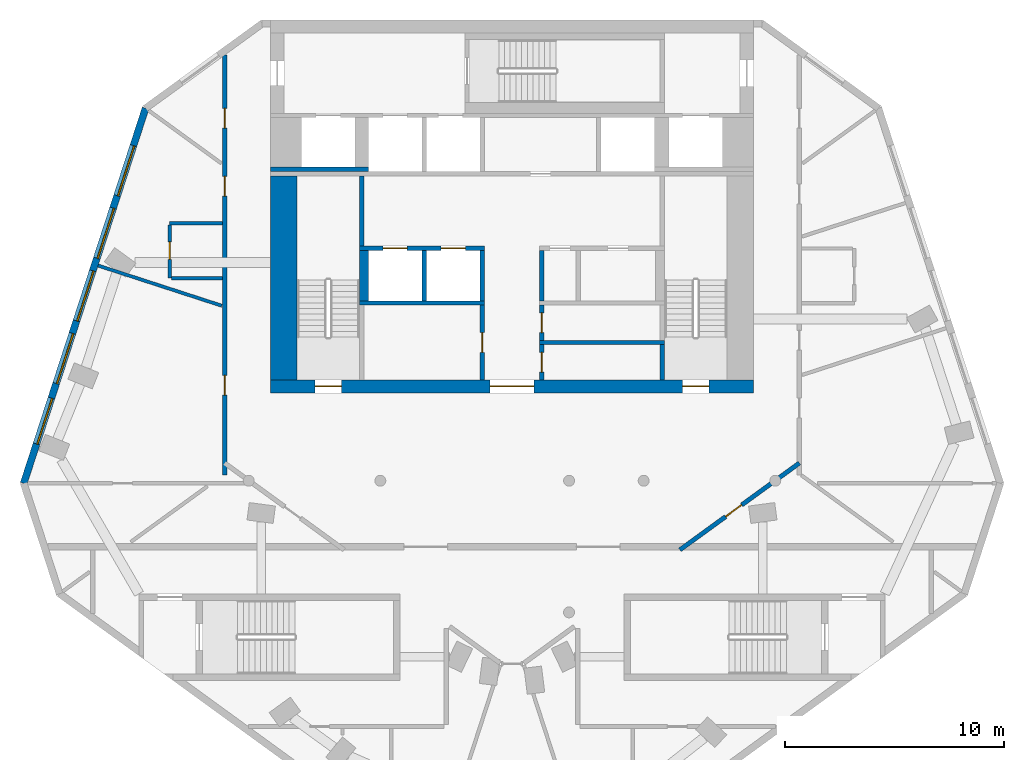
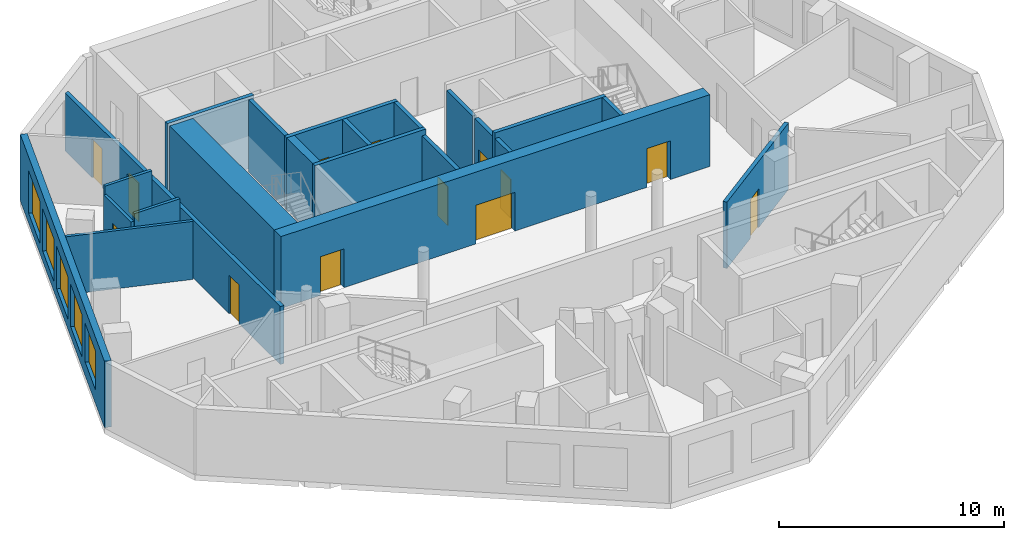
# One storey, part 3 of 8: 22 walls, 13 doors, 5 windows, 18 openings.
"""IFC4 building model written with IfcOpenShell, lengths in metres."""

import ifcopenshell
import ifcopenshell.guid

model = None  # the IFC model being written
_history = None  # IfcOwnerHistory: only IFC2X3 demands one
_inside = {}  # id of a spatial element -> (the spatial element, [elements in it])
_under = {}  # id of a project, library or spatial element -> (it, [spatial elements below it])
_declared = {}  # id of a project -> (the project, [libraries it declares])
_typed = {}  # id of a type object -> (the type object, [elements of that type])
_made_of = {}  # id of a material, layer set ... -> (it, [elements and type objects made of it])


def new_model(schema):
    """Start an empty IFC model of exactly this schema.

    Asked for "IFC4X3", IfcOpenShell would pick the latest addendum, in which some entities
    have other attributes; the version numbers below select the first issue.
    IFC2X3 requires an IfcOwnerHistory on every rooted entity: one is made here for all.
    """
    global model, _history
    if schema == "IFC4X3":
        model = ifcopenshell.file(schema_version=(4, 3, 0, 0))
    else:
        model = ifcopenshell.file(schema=schema)
    _inside.clear()
    _under.clear()
    _declared.clear()
    _typed.clear()
    _made_of.clear()
    _history = None
    if model.schema == "IFC2X3":
        org = make("IfcOrganization", Name="unknown")
        user = make(
            "IfcPersonAndOrganization",
            ThePerson=make("IfcPerson", FamilyName="unknown"),
            TheOrganization=org,
        )
        app = make(
            "IfcApplication",
            ApplicationDeveloper=org,
            Version="unknown",
            ApplicationFullName="unknown",
            ApplicationIdentifier="unknown",
        )
        _history = make(
            "IfcOwnerHistory",
            OwningUser=user,
            OwningApplication=app,
            ChangeAction="ADDED",
            CreationDate=0,
        )
    return model


def make(cls, **values):
    """One entity of the class cls with the attributes given. An attribute that is None is left unset."""
    return model.create_entity(
        cls, **{name: value for name, value in values.items() if value is not None}
    )


def rooted(cls, **values):
    """An entity with a GlobalId (a new one), such as an element, a storey or a relation."""
    return make(cls, GlobalId=ifcopenshell.guid.new(), OwnerHistory=_history, **values)


def si_unit(unit_type, name, prefix=None):
    """IfcSIUnit, for example si_unit("LENGTHUNIT", "METRE", prefix="MILLI")."""
    return make("IfcSIUnit", UnitType=unit_type, Prefix=prefix, Name=name)


def assignment(units):
    """IfcUnitAssignment: the units of a project."""
    return None if units is None else make("IfcUnitAssignment", Units=units)


def point(xyz):
    """IfcCartesianPoint."""
    return None if xyz is None else make("IfcCartesianPoint", Coordinates=xyz)


def direction(xyz):
    """IfcDirection."""
    return None if xyz is None else make("IfcDirection", DirectionRatios=xyz)


def frame(location, z_axis=None, x_axis=None):
    """IfcAxis2Placement3D, a coordinate frame: its origin and axes. An axis left out is left unset."""
    return make(
        "IfcAxis2Placement3D",
        Location=point(location),
        Axis=direction(z_axis),
        RefDirection=direction(x_axis),
    )


def frame_2d(location, x_axis=None):
    """IfcAxis2Placement2D, a coordinate frame in the plane: its origin and x axis."""
    return make(
        "IfcAxis2Placement2D", Location=point(location), RefDirection=direction(x_axis)
    )


def origin():
    """The frame at (0, 0, 0) with its axes left unset."""
    return frame((0.0, 0.0, 0.0))


def place(relative_to, where):
    """IfcLocalPlacement: puts the frame where relative to a parent placement (None: the world)."""
    return make(
        "IfcLocalPlacement", PlacementRelTo=relative_to, RelativePlacement=where
    )


def context(
    kind, dimensions, precision=None, world=None, true_north=None, identifier=None
):
    """IfcGeometricRepresentationContext, for example the 3D "Model" context."""
    return make(
        "IfcGeometricRepresentationContext",
        ContextIdentifier=identifier,
        ContextType=kind,
        CoordinateSpaceDimension=dimensions,
        Precision=precision,
        WorldCoordinateSystem=world,
        TrueNorth=true_north,
    )


def subcontext(parent, identifier, kind, view, scale=None):
    """IfcGeometricRepresentationSubContext, for example "Body" below "Model"."""
    return make(
        "IfcGeometricRepresentationSubContext",
        ContextIdentifier=identifier,
        ContextType=kind,
        ParentContext=parent,
        TargetScale=scale,
        TargetView=view,
    )


def project(units=None, contexts=None):
    """IfcProject with its units and contexts."""
    return rooted(
        "IfcProject",
        Name="project",
        RepresentationContexts=contexts,
        UnitsInContext=assignment(units),
    )


def spatial(cls, under=None, at=None, **own):
    """A site, building, storey or space (cls), placed at a placement, below another one or the project."""
    s = rooted(cls, ObjectPlacement=at, **own)
    if under is not None:
        _under.setdefault(under.id(), (under, []))[1].append(s)
    return s


def profile(cls, at=None, kind="AREA", **sizes):
    """A parametric profile (cls). Its sizes go by their IFC names, for example OverallWidth=200.0."""
    return make(cls, ProfileType=kind, Position=at, **sizes)


def rectangle(**sizes):
    """IfcRectangleProfileDef."""
    return profile("IfcRectangleProfileDef", **sizes)


def extrude(swept, where, along, depth):
    """IfcExtrudedAreaSolid: the profile swept, set in the frame where, extruded along a direction by depth."""
    return make(
        "IfcExtrudedAreaSolid",
        SweptArea=swept,
        Position=where,
        ExtrudedDirection=direction(along),
        Depth=depth,
    )


def shape(context_of_items, identifier, shape_type, items):
    """IfcShapeRepresentation: the items that make up one representation, for example the "Body"."""
    return make(
        "IfcShapeRepresentation",
        ContextOfItems=context_of_items,
        RepresentationIdentifier=identifier,
        RepresentationType=shape_type,
        Items=items,
    )


def material(Name=None, Category=None):
    """IfcMaterial."""
    return make("IfcMaterial", Name=Name, Category=Category)


def layer(
    of_material, thickness, ventilated=None, Name=None, Category=None, Priority=None
):
    """IfcMaterialLayer: one layer of a wall or slab, of a material (None: an air gap)."""
    return make(
        "IfcMaterialLayer",
        Material=of_material,
        LayerThickness=thickness,
        IsVentilated=ventilated,
        Name=Name,
        Category=Category,
        Priority=Priority,
    )


def layer_set(layers, Name=None):
    """IfcMaterialLayerSet."""
    return make("IfcMaterialLayerSet", MaterialLayers=layers, LayerSetName=Name)


def made_of(thing, what):
    """Note that an element or type object is made of a material, layer set ...; save() writes the relation."""
    if what is not None:
        _made_of.setdefault(what.id(), (what, []))[1].append(thing)
    return thing


def type_object(cls, material=None, **own):
    """A type object (cls), such as IfcWallType, which elements share."""
    return made_of(rooted(cls, **own), material)


def element(
    cls,
    number,
    at=None,
    inside=None,
    cuts=None,
    type_object=None,
    material=None,
    context=None,
    identifier="Body",
    shape_type=None,
    held_by="IfcProductDefinitionShape",
    body=None,
    shapes=None,
    **own,
):
    """One element of the class cls, such as IfcWall. Its Tag is "e" and its number.

    at: its placement. inside: the storey or other place that contains it. cuts: it is an
    opening in that element (IfcRelVoidsElement). A single representation is given by context,
    identifier, shape_type and body (its items); several are given by shapes. held_by: the class
    of the entity that holds the representations. save() writes the other relations.
    """
    e = rooted(cls, Tag="e%d" % number, ObjectPlacement=at, **own)
    if body is not None:
        shapes = [shape(context, identifier, shape_type, body)]
    if shapes is not None:
        e.Representation = make(held_by, Representations=shapes)
    if inside is not None:
        _inside.setdefault(inside.id(), (inside, []))[1].append(e)
    if cuts is not None:
        rooted(
            "IfcRelVoidsElement", RelatingBuildingElement=cuts, RelatedOpeningElement=e
        )
    if type_object is not None:
        _typed.setdefault(type_object.id(), (type_object, []))[1].append(e)
    return made_of(e, material)


def fill(opening, filler):
    """IfcRelFillsElement: the door or window that sits in an opening."""
    return rooted(
        "IfcRelFillsElement",
        RelatingOpeningElement=opening,
        RelatedBuildingElement=filler,
    )


def aggregate(whole, parts):
    """IfcRelAggregates: a whole, such as a stair, and the parts it consists of."""
    return rooted("IfcRelAggregates", RelatingObject=whole, RelatedObjects=parts)


def save(model, path):
    """Write the relations noted so far, then the file.

    IfcRelAggregates (storeys below a building ...), IfcRelContainedInSpatialStructure (elements
    in a storey), IfcRelDefinesByType, IfcRelAssociatesMaterial and IfcRelDeclares: one each for
    every whole, place, type object, material and project.
    """
    for whole, parts in _under.values():
        aggregate(whole, parts)
    for where, things in _inside.values():
        rooted(
            "IfcRelContainedInSpatialStructure",
            RelatedElements=things,
            RelatingStructure=where,
        )
    for kind, things in _typed.values():
        rooted("IfcRelDefinesByType", RelatedObjects=things, RelatingType=kind)
    for what, things in _made_of.values():
        rooted("IfcRelAssociatesMaterial", RelatedObjects=things, RelatingMaterial=what)
    for by, libraries in _declared.values():
        rooted("IfcRelDeclares", RelatingContext=by, RelatedDefinitions=libraries)
    model.write(path)


model = new_model("IFC4")

# Units and contexts
model_context = context("Model", 3, precision=1e-05, world=origin(), true_north=direction((0.0, 1.0)))
body_context = subcontext(model_context, "Body", "Model", "MODEL_VIEW")
ifc_project = project(units=[si_unit("LENGTHUNIT", "METRE"), si_unit("AREAUNIT", "SQUARE_METRE"), si_unit("VOLUMEUNIT", "CUBIC_METRE"), si_unit("PLANEANGLEUNIT", "RADIAN"), si_unit("MASSUNIT", "GRAM", prefix="KILO")], contexts=[model_context])

# Site, building, storey
site_placement = place(None, origin())
site = spatial("IfcSite", under=ifc_project, at=site_placement, CompositionType="ELEMENT")
building_placement = place(site_placement, origin())
building = spatial("IfcBuilding", under=site, at=building_placement, Name="White Candle Pilgrim Tower", CompositionType="ELEMENT")
storey_placement = place(building_placement, frame((0.0, 0.0, 313.89990234375)))
storey = spatial("IfcBuildingStorey", under=building, at=storey_placement, Name="L74", CompositionType="ELEMENT", Elevation=313.89990234375)

# Wall
ifc_material_1 = material(Name="Concrete C40/50", Category="concrete")
ifc_layer_1 = layer(ifc_material_1, 0.199951171875)
ifc_layer_set_1 = layer_set([ifc_layer_1], Name="Core wall 200 mm Concrete C40/50")
wall_type_1 = type_object("IfcWallType", Name="Core wall 200 mm Concrete C40/50", PredefinedType="SHEAR", material=ifc_layer_set_1)
wall_1_placement = place(storey_placement, frame((59.0, 81.199951171875, 0.0), z_axis=(0.0, 0.0, 1.0), x_axis=(1.0, 0.0, 0.0)))
element("IfcWall", 1, at=wall_1_placement, inside=storey, type_object=wall_type_1, Name="WL-L74-C34", PredefinedType="SHEAR", context=body_context, shape_type="SweptSolid", body=[
    extrude(rectangle(XDim=4.449951171875, YDim=0.199951171875, at=frame_2d((2.22509765625, 0.0))), origin(), (0.0, 0.0, 1.0), 3.900146484375),
])

# Wall, openings, doors
ifc_material_2 = material(Name="Gypsum board on steel studs", Category="steel")
ifc_layer_2 = layer(ifc_material_2, 0.199951171875)
ifc_layer_set_2 = layer_set([ifc_layer_2], Name="Corridor wall 200 mm EI 45")
wall_type_2 = type_object("IfcWallType", Name="Corridor wall 200 mm EI 45", PredefinedType="PARTITIONING", material=ifc_layer_set_2)
wall_2_placement = place(storey_placement, frame((56.89990234375, 67.252197265625, 0.0), z_axis=(0.0, 0.0, 1.0), x_axis=(0.0, 1.0, 0.0)))
wall_2 = element("IfcWall", 2, at=wall_2_placement, inside=storey, type_object=wall_type_2, Name="WL-L74-P004", PredefinedType="PARTITIONING", context=body_context, shape_type="SweptSolid", body=[
    extrude(rectangle(XDim=19.14404296875, YDim=0.199951171875, at=frame_2d((9.572021484375, 0.0))), origin(), (0.0, 0.0, 1.0), 3.150146484375),
])
opening_1_placement = place(wall_2_placement, frame((3.655517578125, 0.0, 0.0)))
opening_1 = element("IfcOpeningElement", 3, at=opening_1_placement, cuts=wall_2, Name="Opening T22-110", PredefinedType="OPENING", context=body_context, shape_type="SweptSolid", body=[
    extrude(rectangle(XDim=0.89990234375, YDim=2.10009765625, at=frame_2d((0.449951171875, 1.050048828125))), frame((0.0, 0.10986328125, 0.0), z_axis=(0.0, -1.0, 0.0), x_axis=(1.0, 0.0, 0.0)), (0.0, 0.0, 1.0), 0.219970703125),
])
opening_2_placement = place(wall_2_placement, frame((12.722412109375, 0.0, 0.0)))
opening_2 = element("IfcOpeningElement", 4, at=opening_2_placement, cuts=wall_2, Name="Opening T22-111", PredefinedType="OPENING", context=body_context, shape_type="SweptSolid", body=[
    extrude(rectangle(XDim=0.89990234375, YDim=2.10009765625, at=frame_2d((0.449951171875, 1.050048828125))), frame((0.0, 0.10986328125, 0.0), z_axis=(0.0, -1.0, 0.0), x_axis=(1.0, 0.0, 0.0)), (0.0, 0.0, 1.0), 0.219970703125),
])
opening_3_placement = place(wall_2_placement, frame((15.822509765625, 0.0, 0.0)))
opening_3 = element("IfcOpeningElement", 5, at=opening_3_placement, cuts=wall_2, Name="Opening T22-112", PredefinedType="OPENING", context=body_context, shape_type="SweptSolid", body=[
    extrude(rectangle(XDim=0.89990234375, YDim=2.10009765625, at=frame_2d((0.449951171875, 1.050048828125))), frame((0.0, 0.10986328125, 0.0), z_axis=(0.0, -1.0, 0.0), x_axis=(1.0, 0.0, 0.0)), (0.0, 0.0, 1.0), 0.219970703125),
])
ifc_material_3 = material(Name="Steel door leaf", Category="steel")
door_type_1 = type_object("IfcDoorType", Name="Fire door 900 x 2100 EI 30", OperationType="NOTDEFINED", PredefinedType="DOOR", material=ifc_material_3)
door_1_placement = place(opening_1_placement, origin())
door_1 = element("IfcDoor", 6, at=door_1_placement, inside=storey, type_object=door_type_1, Name="Door T22-110", OperationType="SINGLE_SWING_RIGHT", OverallHeight=2.10009765625, OverallWidth=0.89990234375, PredefinedType="DOOR", context=body_context, shape_type="SweptSolid", body=[
    extrude(rectangle(XDim=0.89990234375, YDim=2.10009765625, at=frame_2d((0.449951171875, 1.050048828125))), frame((0.0, 0.02490234375, 0.0), z_axis=(0.0, -1.0, 0.0), x_axis=(1.0, 0.0, 0.0)), (0.0, 0.0, 1.0), 0.050048828125),
])
fill(opening_1, door_1)
door_2_placement = place(opening_2_placement, origin())
door_2 = element("IfcDoor", 7, at=door_2_placement, inside=storey, type_object=door_type_1, Name="Door T22-111", OperationType="SINGLE_SWING_LEFT", OverallHeight=2.10009765625, OverallWidth=0.89990234375, PredefinedType="DOOR", context=body_context, shape_type="SweptSolid", body=[
    extrude(rectangle(XDim=0.89990234375, YDim=2.10009765625, at=frame_2d((0.449951171875, 1.050048828125))), frame((0.0, 0.02490234375, 0.0), z_axis=(0.0, -1.0, 0.0), x_axis=(1.0, 0.0, 0.0)), (0.0, 0.0, 1.0), 0.050048828125),
])
fill(opening_2, door_2)
door_3_placement = place(opening_3_placement, origin())
door_3 = element("IfcDoor", 8, at=door_3_placement, inside=storey, type_object=door_type_1, Name="Door T22-112", OperationType="SINGLE_SWING_RIGHT", OverallHeight=2.10009765625, OverallWidth=0.89990234375, PredefinedType="DOOR", context=body_context, shape_type="SweptSolid", body=[
    extrude(rectangle(XDim=0.89990234375, YDim=2.10009765625, at=frame_2d((0.449951171875, 1.050048828125))), frame((0.0, 0.02490234375, 0.0), z_axis=(0.0, -1.0, 0.0), x_axis=(1.0, 0.0, 0.0)), (0.0, 0.0, 1.0), 0.050048828125),
])
fill(opening_3, door_3)

# Wall, opening, door
wall_3_placement = place(storey_placement, frame((83.10009765625, 67.80859375, 0.0), z_axis=(0.0, 0.0, 1.0), x_axis=(-0.809033820778, -0.587762092038, 0.0)))
wall_3 = element("IfcWall", 9, at=wall_3_placement, inside=storey, type_object=wall_type_2, Name="WL-L74-P006", PredefinedType="PARTITIONING", context=body_context, shape_type="SweptSolid", body=[
    extrude(rectangle(XDim=6.73486328125, YDim=0.199951171875, at=frame_2d((3.367431640625, 0.0))), origin(), (0.0, 0.0, 1.0), 3.60009765625),
])
opening_4_placement = place(wall_3_placement, frame((3.254150390625, 0.0, 0.0)))
opening_4 = element("IfcOpeningElement", 10, at=opening_4_placement, cuts=wall_3, Name="Opening T22-118", PredefinedType="OPENING", context=body_context, shape_type="SweptSolid", body=[
    extrude(rectangle(XDim=0.89990234375, YDim=2.10009765625, at=frame_2d((0.449951171875, 1.050048828125))), frame((0.0, 0.10986328125, 0.0), z_axis=(0.0, -1.0, 0.0), x_axis=(1.0, 0.0, 0.0)), (0.0, 0.0, 1.0), 0.219970703125),
])
door_4_placement = place(opening_4_placement, origin())
door_4 = element("IfcDoor", 11, at=door_4_placement, inside=storey, type_object=door_type_1, Name="Door T22-118", OperationType="SINGLE_SWING_RIGHT", OverallHeight=2.10009765625, OverallWidth=0.89990234375, PredefinedType="DOOR", context=body_context, shape_type="SweptSolid", body=[
    extrude(rectangle(XDim=0.89990234375, YDim=2.10009765625, at=frame_2d((0.449951171875, 1.050048828125))), frame((0.0, 0.02490234375, 0.0), z_axis=(0.0, -1.0, 0.0), x_axis=(1.0, 0.0, 0.0)), (0.0, 0.0, 1.0), 0.050048828125),
])
fill(opening_4, door_4)

# Wall, openings, windows
ifc_material_4 = material(Name="Precast concrete C40/50", Category="concrete")
ifc_layer_3 = layer(ifc_material_4, 0.320068359375)
ifc_layer_set_3 = layer_set([ifc_layer_3], Name="Facade wall EW1 precast concrete C40/50 pier wall with timber-lined reveals")
wall_type_3 = type_object("IfcWallType", Name="Facade wall EW1 precast concrete C40/50 pier wall with timber-lined reveals", PredefinedType="SOLIDWALL", material=ifc_layer_set_3)
wall_4_placement = place(storey_placement, frame((53.298095703125, 83.97705078125, 0.0), z_axis=(0.0, 0.0, 1.0), x_axis=(-0.309017883781, -0.951056227309, 0.0)))
wall_4 = element("IfcWall", 12, at=wall_4_placement, inside=storey, type_object=wall_type_3, Name="Facade wall L74 WNW", PredefinedType="SOLIDWALL", context=body_context, shape_type="SweptSolid", body=[
    extrude(rectangle(XDim=17.972900390625, YDim=0.320068359375, at=frame_2d((8.986328125, 0.0))), origin(), (0.0, 0.0, 1.0), 3.60009765625),
])
opening_5_placement = place(wall_4_placement, frame((1.78662109375, 0.0, 0.550048828125)))
opening_5 = element("IfcOpeningElement", 13, at=opening_5_placement, cuts=wall_4, Name="Opening W5", PredefinedType="OPENING", context=body_context, shape_type="SweptSolid", body=[
    extrude(rectangle(XDim=2.39990234375, YDim=2.300048828125, at=frame_2d((1.199951171875, 1.14990234375))), frame((0.0, 0.169921875, 0.0), z_axis=(0.0, -1.0, 0.0), x_axis=(1.0, 0.0, 0.0)), (0.0, 0.0, 1.0), 0.340087890625),
])
opening_6_placement = place(wall_4_placement, frame((4.78662109375, 0.0, 0.550048828125)))
opening_6 = element("IfcOpeningElement", 14, at=opening_6_placement, cuts=wall_4, Name="Opening W5", PredefinedType="OPENING", context=body_context, shape_type="SweptSolid", body=[
    extrude(rectangle(XDim=2.39990234375, YDim=2.300048828125, at=frame_2d((1.199951171875, 1.14990234375))), frame((0.0, 0.169921875, 0.0), z_axis=(0.0, -1.0, 0.0), x_axis=(1.0, 0.0, 0.0)), (0.0, 0.0, 1.0), 0.340087890625),
])
opening_7_placement = place(wall_4_placement, frame((7.78662109375, 0.0, 0.550048828125)))
opening_7 = element("IfcOpeningElement", 15, at=opening_7_placement, cuts=wall_4, Name="Opening W5", PredefinedType="OPENING", context=body_context, shape_type="SweptSolid", body=[
    extrude(rectangle(XDim=2.39990234375, YDim=2.300048828125, at=frame_2d((1.199951171875, 1.14990234375))), frame((0.0, 0.169921875, 0.0), z_axis=(0.0, -1.0, 0.0), x_axis=(1.0, 0.0, 0.0)), (0.0, 0.0, 1.0), 0.340087890625),
])
opening_8_placement = place(wall_4_placement, frame((10.78662109375, 0.0, 0.550048828125)))
opening_8 = element("IfcOpeningElement", 16, at=opening_8_placement, cuts=wall_4, Name="Opening W5", PredefinedType="OPENING", context=body_context, shape_type="SweptSolid", body=[
    extrude(rectangle(XDim=2.39990234375, YDim=2.300048828125, at=frame_2d((1.199951171875, 1.14990234375))), frame((0.0, 0.169921875, 0.0), z_axis=(0.0, -1.0, 0.0), x_axis=(1.0, 0.0, 0.0)), (0.0, 0.0, 1.0), 0.340087890625),
])
opening_9_placement = place(wall_4_placement, frame((13.886474609375, 0.0, 0.75)))
opening_9 = element("IfcOpeningElement", 17, at=opening_9_placement, cuts=wall_4, Name="Opening W4", PredefinedType="OPENING", context=body_context, shape_type="SweptSolid", body=[
    extrude(rectangle(XDim=2.199951171875, YDim=2.10009765625, at=frame_2d((1.10009765625, 1.050048828125))), frame((0.0, 0.169921875, 0.0), z_axis=(0.0, -1.0, 0.0), x_axis=(1.0, 0.0, 0.0)), (0.0, 0.0, 1.0), 0.340087890625),
])
ifc_material_5 = material(Name="Timber frame with triple glazing", Category="wood")
window_type_1 = type_object("IfcWindowType", Name="Window W4 2200x2100 timber frame triple glazing", PartitioningType="SINGLE_PANEL", PredefinedType="WINDOW", material=ifc_material_5)
window_1_placement = place(opening_9_placement, origin())
window_1 = element("IfcWindow", 18, at=window_1_placement, inside=storey, type_object=window_type_1, Name="Window W4 L74 WNW 5", OverallHeight=2.10009765625, OverallWidth=2.199951171875, PartitioningType="SINGLE_PANEL", PredefinedType="WINDOW", context=body_context, shape_type="SweptSolid", body=[
    extrude(rectangle(XDim=2.199951171875, YDim=2.10009765625, at=frame_2d((1.10009765625, 1.050048828125))), frame((0.0, 0.070068359375, 0.0), z_axis=(0.0, -1.0, 0.0), x_axis=(1.0, 0.0, 0.0)), (0.0, 0.0, 1.0), 0.06005859375),
])
fill(opening_9, window_1)
window_type_2 = type_object("IfcWindowType", Name="Window W5 2400x2300 timber frame triple glazing", PartitioningType="SINGLE_PANEL", PredefinedType="WINDOW", material=ifc_material_5)
window_2_placement = place(opening_5_placement, origin())
window_2 = element("IfcWindow", 19, at=window_2_placement, inside=storey, type_object=window_type_2, Name="Window W5 L74 WNW 1", OverallHeight=2.300048828125, OverallWidth=2.39990234375, PartitioningType="SINGLE_PANEL", PredefinedType="WINDOW", context=body_context, shape_type="SweptSolid", body=[
    extrude(rectangle(XDim=2.39990234375, YDim=2.300048828125, at=frame_2d((1.199951171875, 1.14990234375))), frame((0.0, 0.070068359375, 0.0), z_axis=(0.0, -1.0, 0.0), x_axis=(1.0, 0.0, 0.0)), (0.0, 0.0, 1.0), 0.06005859375),
])
fill(opening_5, window_2)
window_3_placement = place(opening_6_placement, origin())
window_3 = element("IfcWindow", 20, at=window_3_placement, inside=storey, type_object=window_type_2, Name="Window W5 L74 WNW 2", OverallHeight=2.300048828125, OverallWidth=2.39990234375, PartitioningType="SINGLE_PANEL", PredefinedType="WINDOW", context=body_context, shape_type="SweptSolid", body=[
    extrude(rectangle(XDim=2.39990234375, YDim=2.300048828125, at=frame_2d((1.199951171875, 1.14990234375))), frame((0.0, 0.070068359375, 0.0), z_axis=(0.0, -1.0, 0.0), x_axis=(1.0, 0.0, 0.0)), (0.0, 0.0, 1.0), 0.06005859375),
])
fill(opening_6, window_3)
window_4_placement = place(opening_7_placement, origin())
window_4 = element("IfcWindow", 21, at=window_4_placement, inside=storey, type_object=window_type_2, Name="Window W5 L74 WNW 3", OverallHeight=2.300048828125, OverallWidth=2.39990234375, PartitioningType="SINGLE_PANEL", PredefinedType="WINDOW", context=body_context, shape_type="SweptSolid", body=[
    extrude(rectangle(XDim=2.39990234375, YDim=2.300048828125, at=frame_2d((1.199951171875, 1.14990234375))), frame((0.0, 0.070068359375, 0.0), z_axis=(0.0, -1.0, 0.0), x_axis=(1.0, 0.0, 0.0)), (0.0, 0.0, 1.0), 0.06005859375),
])
fill(opening_7, window_4)
window_5_placement = place(opening_8_placement, origin())
window_5 = element("IfcWindow", 22, at=window_5_placement, inside=storey, type_object=window_type_2, Name="Window W5 L74 WNW 4", OverallHeight=2.300048828125, OverallWidth=2.39990234375, PartitioningType="SINGLE_PANEL", PredefinedType="WINDOW", context=body_context, shape_type="SweptSolid", body=[
    extrude(rectangle(XDim=2.39990234375, YDim=2.300048828125, at=frame_2d((1.199951171875, 1.14990234375))), frame((0.0, 0.070068359375, 0.0), z_axis=(0.0, -1.0, 0.0), x_axis=(1.0, 0.0, 0.0)), (0.0, 0.0, 1.0), 0.06005859375),
])
fill(opening_8, window_5)

# Wall, opening, door
ifc_layer_4 = layer(ifc_material_2, 0.199951171875)
ifc_layer_set_4 = layer_set([ifc_layer_4], Name="Lobby wall 200 mm EI 60")
wall_type_4 = type_object("IfcWallType", Name="Lobby wall 200 mm EI 60", PredefinedType="PARTITIONING", material=ifc_layer_set_4)
wall_5_placement = place(storey_placement, frame((68.64990234375, 71.60009765625, 0.0), z_axis=(0.0, 0.0, 1.0), x_axis=(0.0, 1.0, 0.0)))
wall_5 = element("IfcWall", 23, at=wall_5_placement, inside=storey, type_object=wall_type_4, Name="WL-L74-C14", PredefinedType="PARTITIONING", context=body_context, shape_type="SweptSolid", body=[
    extrude(rectangle(XDim=3.39990234375, YDim=0.199951171875, at=frame_2d((1.699951171875, 0.0))), origin(), (0.0, 0.0, 1.0), 3.60009765625),
])
opening_10_placement = place(wall_5_placement, frame((1.25, 0.0, 0.0)))
opening_10 = element("IfcOpeningElement", 24, at=opening_10_placement, cuts=wall_5, Name="Opening T22-005", PredefinedType="OPENING", context=body_context, shape_type="SweptSolid", body=[
    extrude(rectangle(XDim=0.89990234375, YDim=2.10009765625, at=frame_2d((0.449951171875, 1.050048828125))), frame((0.0, 0.10986328125, 0.0), z_axis=(0.0, -1.0, 0.0), x_axis=(1.0, 0.0, 0.0)), (0.0, 0.0, 1.0), 0.219970703125),
])
door_5_placement = place(opening_10_placement, origin())
door_5 = element("IfcDoor", 25, at=door_5_placement, inside=storey, type_object=door_type_1, Name="Door T22-005", OperationType="SINGLE_SWING_LEFT", OverallHeight=2.10009765625, OverallWidth=0.89990234375, PredefinedType="DOOR", context=body_context, shape_type="SweptSolid", body=[
    extrude(rectangle(XDim=0.89990234375, YDim=2.10009765625, at=frame_2d((0.449951171875, 1.050048828125))), frame((0.0, 0.02490234375, 0.0), z_axis=(0.0, -1.0, 0.0), x_axis=(1.0, 0.0, 0.0)), (0.0, 0.0, 1.0), 0.050048828125),
])
fill(opening_10, door_5)

wall_6_placement = place(storey_placement, frame((71.35009765625, 71.60009765625, 0.0), z_axis=(0.0, 0.0, 1.0), x_axis=(0.0, 1.0, 0.0)))
wall_6 = element("IfcWall", 26, at=wall_6_placement, inside=storey, type_object=wall_type_4, Name="WL-L74-C15", PredefinedType="PARTITIONING", context=body_context, shape_type="SweptSolid", body=[
    extrude(rectangle(XDim=1.599853515625, YDim=0.199951171875, at=frame_2d((0.7998046875, 0.0))), origin(), (0.0, 0.0, 1.0), 3.60009765625),
])
opening_11_placement = place(wall_6_placement, frame((0.35009765625, 0.0, 0.0)))
opening_11 = element("IfcOpeningElement", 27, at=opening_11_placement, cuts=wall_6, Name="Opening T22-006", PredefinedType="OPENING", context=body_context, shape_type="SweptSolid", body=[
    extrude(rectangle(XDim=0.89990234375, YDim=2.10009765625, at=frame_2d((0.449951171875, 1.050048828125))), frame((0.0, 0.10986328125, 0.0), z_axis=(0.0, -1.0, 0.0), x_axis=(1.0, 0.0, 0.0)), (0.0, 0.0, 1.0), 0.219970703125),
])
door_6_placement = place(opening_11_placement, origin())
door_6 = element("IfcDoor", 28, at=door_6_placement, inside=storey, type_object=door_type_1, Name="Door T22-006", OperationType="SINGLE_SWING_RIGHT", OverallHeight=2.10009765625, OverallWidth=0.89990234375, PredefinedType="DOOR", context=body_context, shape_type="SweptSolid", body=[
    extrude(rectangle(XDim=0.89990234375, YDim=2.10009765625, at=frame_2d((0.449951171875, 1.050048828125))), frame((0.0, 0.02490234375, 0.0), z_axis=(0.0, -1.0, 0.0), x_axis=(1.0, 0.0, 0.0)), (0.0, 0.0, 1.0), 0.050048828125),
])
fill(opening_11, door_6)

wall_7_placement = place(storey_placement, frame((71.35009765625, 73.39990234375, 0.0), z_axis=(0.0, 0.0, 1.0), x_axis=(0.0, 1.0, 0.0)))
wall_7 = element("IfcWall", 29, at=wall_7_placement, inside=storey, type_object=wall_type_4, Name="WL-L74-C19", PredefinedType="PARTITIONING", context=body_context, shape_type="SweptSolid", body=[
    extrude(rectangle(XDim=1.60009765625, YDim=0.199951171875, at=frame_2d((0.800048828125, 0.0))), origin(), (0.0, 0.0, 1.0), 3.60009765625),
])
opening_12_placement = place(wall_7_placement, frame((0.35009765625, 0.0, 0.0)))
opening_12 = element("IfcOpeningElement", 30, at=opening_12_placement, cuts=wall_7, Name="Opening T22-007", PredefinedType="OPENING", context=body_context, shape_type="SweptSolid", body=[
    extrude(rectangle(XDim=0.89990234375, YDim=2.10009765625, at=frame_2d((0.449951171875, 1.050048828125))), frame((0.0, 0.10986328125, 0.0), z_axis=(0.0, -1.0, 0.0), x_axis=(1.0, 0.0, 0.0)), (0.0, 0.0, 1.0), 0.219970703125),
])
door_7_placement = place(opening_12_placement, origin())
door_7 = element("IfcDoor", 31, at=door_7_placement, inside=storey, type_object=door_type_1, Name="Door T22-007", OperationType="SINGLE_SWING_LEFT", OverallHeight=2.10009765625, OverallWidth=0.89990234375, PredefinedType="DOOR", context=body_context, shape_type="SweptSolid", body=[
    extrude(rectangle(XDim=0.89990234375, YDim=2.10009765625, at=frame_2d((0.449951171875, 1.050048828125))), frame((0.0, 0.02490234375, 0.0), z_axis=(0.0, -1.0, 0.0), x_axis=(1.0, 0.0, 0.0)), (0.0, 0.0, 1.0), 0.050048828125),
])
fill(opening_12, door_7)

# Walls
wall_8_placement = place(storey_placement, frame((71.35009765625, 75.199951171875, 0.0), z_axis=(0.0, 0.0, 1.0), x_axis=(0.0, 1.0, 0.0)))
element("IfcWall", 32, at=wall_8_placement, inside=storey, type_object=wall_type_4, Name="WL-L74-C26", PredefinedType="PARTITIONING", context=body_context, shape_type="SweptSolid", body=[
    extrude(rectangle(XDim=2.300048828125, YDim=0.199951171875, at=frame_2d((1.14990234375, 0.0))), origin(), (0.0, 0.0, 1.0), 3.60009765625),
])
ifc_layer_5 = layer(ifc_material_2, 0.14990234375)
ifc_layer_set_5 = layer_set([ifc_layer_5], Name="Partition 150 mm EI 60")
wall_type_5 = type_object("IfcWallType", Name="Partition 150 mm EI 60", PredefinedType="PARTITIONING", material=ifc_layer_set_5)
wall_9_placement = place(storey_placement, frame((51.136962890625, 76.8076171875, 0.0), z_axis=(0.0, 0.0, 1.0), x_axis=(0.951056152135, -0.309018115143, 0.0)))
element("IfcWall", 33, at=wall_9_placement, inside=storey, type_object=wall_type_5, Name="WL-L74-P025", PredefinedType="PARTITIONING", context=body_context, shape_type="SweptSolid", body=[
    extrude(rectangle(XDim=5.93017578125, YDim=0.14990234375, at=frame_2d((2.965087890625, 0.0))), origin(), (0.0, 0.0, 1.0), 3.150146484375),
])
wall_10_placement = place(storey_placement, frame((56.800048828125, 78.735107421875, 0.0), z_axis=(0.0, 0.0, 1.0), x_axis=(-1.0, 0.0, 0.0)))
element("IfcWall", 34, at=wall_10_placement, inside=storey, type_object=wall_type_5, Name="WL-L74-P026", PredefinedType="PARTITIONING", context=body_context, shape_type="SweptSolid", body=[
    extrude(rectangle(XDim=2.400146484375, YDim=0.14990234375, at=frame_2d((1.2001953125, 0.0))), origin(), (0.0, 0.0, 1.0), 3.60009765625),
])

# Wall, opening, door
wall_11_placement = place(storey_placement, frame((54.39990234375, 76.235107421875, 0.0), z_axis=(0.0, 0.0, 1.0), x_axis=(0.0, 1.0, 0.0)))
wall_11 = element("IfcWall", 35, at=wall_11_placement, inside=storey, type_object=wall_type_5, Name="WL-L74-P027", PredefinedType="PARTITIONING", context=body_context, shape_type="SweptSolid", body=[
    extrude(rectangle(XDim=2.425048828125, YDim=0.14990234375, at=frame_2d((1.21240234375, 0.0))), origin(), (0.0, 0.0, 1.0), 3.150146484375),
])
opening_13_placement = place(wall_11_placement, frame((0.85009765625, 0.0, 0.0)))
opening_13 = element("IfcOpeningElement", 36, at=opening_13_placement, cuts=wall_11, Name="Opening T22-101", PredefinedType="OPENING", context=body_context, shape_type="SweptSolid", body=[
    extrude(rectangle(XDim=0.800048828125, YDim=2.10009765625, at=frame_2d((0.39990234375, 1.050048828125))), frame((0.0, 0.0849609375, 0.0), z_axis=(0.0, -1.0, 0.0), x_axis=(1.0, 0.0, 0.0)), (0.0, 0.0, 1.0), 0.169921875),
])
door_type_2 = type_object("IfcDoorType", Name="Fire door 800 x 2100 EI 30", OperationType="NOTDEFINED", PredefinedType="DOOR", material=ifc_material_3)
door_8_placement = place(opening_13_placement, origin())
door_8 = element("IfcDoor", 37, at=door_8_placement, inside=storey, type_object=door_type_2, Name="Door T22-101", OperationType="SINGLE_SWING_LEFT", OverallHeight=2.10009765625, OverallWidth=0.800048828125, PredefinedType="DOOR", context=body_context, shape_type="SweptSolid", body=[
    extrude(rectangle(XDim=0.800048828125, YDim=2.10009765625, at=frame_2d((0.39990234375, 1.050048828125))), frame((0.0, 0.02490234375, 0.0), z_axis=(0.0, -1.0, 0.0), x_axis=(1.0, 0.0, 0.0)), (0.0, 0.0, 1.0), 0.050048828125),
])
fill(opening_13, door_8)

# Walls
wall_12_placement = place(storey_placement, frame((56.800048828125, 76.235107421875, 0.0), z_axis=(0.0, 0.0, 1.0), x_axis=(-1.0, 0.0, 0.0)))
element("IfcWall", 38, at=wall_12_placement, inside=storey, type_object=wall_type_5, Name="WL-L74-P028", PredefinedType="PARTITIONING", context=body_context, shape_type="SweptSolid", body=[
    extrude(rectangle(XDim=2.324951171875, YDim=0.14990234375, at=frame_2d((1.16259765625, 0.0))), origin(), (0.0, 0.0, 1.0), 3.60009765625),
])
ifc_layer_6 = layer(ifc_material_1, 0.199951171875)
ifc_layer_set_6 = layer_set([ifc_layer_6], Name="Shaft wall 200 mm Concrete C40/50")
wall_type_6 = type_object("IfcWallType", Name="Shaft wall 200 mm Concrete C40/50", PredefinedType="SHEAR", material=ifc_layer_set_6)
for number, where, z_axis, x_axis, name in (
    (39, (66.0, 75.199951171875, 0.0), (0.0, 0.0, 1.0), (0.0, 1.0, 0.0), "WL-L74-C24"),
    (40, (68.64990234375, 75.199951171875, 0.0), (0.0, 0.0, 1.0), (0.0, 1.0, 0.0), "WL-L74-C25"),
):
    element("IfcWall", number, at=place(storey_placement, frame(where, z_axis=z_axis, x_axis=x_axis)), inside=storey, type_object=wall_type_6, Name=name, PredefinedType="SHEAR", context=body_context, shape_type="SweptSolid", body=[
        extrude(rectangle(XDim=2.300048828125, YDim=0.199951171875, at=frame_2d((1.14990234375, 0.0))), origin(), (0.0, 0.0, 1.0), 3.900146484375),
    ])
ifc_layer_7 = layer(ifc_material_1, 1.199951171875)
ifc_layer_set_7 = layer_set([ifc_layer_7], Name="Stair shaft wall 1200 mm Concrete C40/50")
wall_type_7 = type_object("IfcWallType", Name="Stair shaft wall 1200 mm Concrete C40/50", PredefinedType="SHEAR", material=ifc_layer_set_7)
wall_13_placement = place(storey_placement, frame((59.60009765625, 71.60009765625, 0.0), z_axis=(0.0, 0.0, 1.0), x_axis=(0.0, 1.0, 0.0)))
element("IfcWall", 41, at=wall_13_placement, inside=storey, type_object=wall_type_7, Name="WL-L74-C12", PredefinedType="SHEAR", context=body_context, shape_type="SweptSolid", body=[
    extrude(rectangle(XDim=9.2998046875, YDim=1.199951171875, at=frame_2d((4.64990234375, 0.0))), origin(), (0.0, 0.0, 1.0), 3.900146484375),
])
ifc_layer_8 = layer(ifc_material_1, 0.199951171875)
ifc_layer_set_8 = layer_set([ifc_layer_8], Name="Stair shaft wall 200 mm Concrete C40/50")
wall_type_8 = type_object("IfcWallType", Name="Stair shaft wall 200 mm Concrete C40/50", PredefinedType="SHEAR", material=ifc_layer_set_8)
wall_14_placement = place(storey_placement, frame((76.85009765625, 71.60009765625, 0.0), z_axis=(0.0, 0.0, 1.0), x_axis=(0.0, 1.0, 0.0)))
element("IfcWall", 42, at=wall_14_placement, inside=storey, type_object=wall_type_8, Name="WL-L74-C16", PredefinedType="SHEAR", context=body_context, shape_type="SweptSolid", body=[
    extrude(rectangle(XDim=1.599853515625, YDim=0.199951171875, at=frame_2d((0.7998046875, 0.0))), origin(), (0.0, 0.0, 1.0), 3.900146484375),
])
for number, where, z_axis, x_axis, name in (
    (43, (71.25, 73.300048828125, 0.0), (0.0, 0.0, 1.0), (1.0, 0.0, 0.0), "WL-L74-C18"),
    (44, (63.050048828125, 75.10009765625, 0.0), (0.0, 0.0, 1.0), (1.0, 0.0, 0.0), "WL-L74-C21"),
):
    element("IfcWall", number, at=place(storey_placement, frame(where, z_axis=z_axis, x_axis=x_axis)), inside=storey, type_object=wall_type_8, Name=name, PredefinedType="SHEAR", context=body_context, shape_type="SweptSolid", body=[
        extrude(rectangle(XDim=5.699951171875, YDim=0.199951171875, at=frame_2d((2.85009765625, 0.0))), origin(), (0.0, 0.0, 1.0), 3.900146484375),
    ])

# Wall, openings, doors
wall_15_placement = place(storey_placement, frame((63.050048828125, 77.60009765625, 0.0), z_axis=(0.0, 0.0, 1.0), x_axis=(1.0, 0.0, 0.0)))
wall_15 = element("IfcWall", 45, at=wall_15_placement, inside=storey, type_object=wall_type_8, Name="WL-L74-C29", PredefinedType="SHEAR", context=body_context, shape_type="SweptSolid", body=[
    extrude(rectangle(XDim=5.699951171875, YDim=0.199951171875, at=frame_2d((2.85009765625, 0.0))), origin(), (0.0, 0.0, 1.0), 3.900146484375),
])
opening_14_placement = place(wall_15_placement, frame((1.074951171875, 0.0, 0.0)))
opening_14 = element("IfcOpeningElement", 46, at=opening_14_placement, cuts=wall_15, Name="Opening T22-014", PredefinedType="OPENING", context=body_context, shape_type="SweptSolid", body=[
    extrude(rectangle(XDim=1.10009765625, YDim=2.10009765625, at=frame_2d((0.550048828125, 1.050048828125))), frame((0.0, 0.10986328125, 0.0), z_axis=(0.0, -1.0, 0.0), x_axis=(1.0, 0.0, 0.0)), (0.0, 0.0, 1.0), 0.219970703125),
])
opening_15_placement = place(wall_15_placement, frame((3.72509765625, 0.0, 0.0)))
opening_15 = element("IfcOpeningElement", 47, at=opening_15_placement, cuts=wall_15, Name="Opening T22-015", PredefinedType="OPENING", context=body_context, shape_type="SweptSolid", body=[
    extrude(rectangle(XDim=1.10009765625, YDim=2.10009765625, at=frame_2d((0.550048828125, 1.050048828125))), frame((0.0, 0.10986328125, 0.0), z_axis=(0.0, -1.0, 0.0), x_axis=(1.0, 0.0, 0.0)), (0.0, 0.0, 1.0), 0.219970703125),
])
ifc_material_6 = material(Name="Stainless steel", Category="steel")
door_type_3 = type_object("IfcDoorType", Name="Lift landing door 1100 x 2100 E 60", OperationType="DOUBLE_DOOR_SLIDING", PredefinedType="DOOR", material=ifc_material_6)
door_9_placement = place(opening_14_placement, origin())
door_9 = element("IfcDoor", 48, at=door_9_placement, inside=storey, type_object=door_type_3, Name="Door T22-014", OperationType="DOUBLE_DOOR_SLIDING", OverallHeight=2.10009765625, OverallWidth=1.10009765625, PredefinedType="DOOR", context=body_context, shape_type="SweptSolid", body=[
    extrude(rectangle(XDim=1.10009765625, YDim=2.10009765625, at=frame_2d((0.550048828125, 1.050048828125))), frame((0.0, 0.02490234375, 0.0), z_axis=(0.0, -1.0, 0.0), x_axis=(1.0, 0.0, 0.0)), (0.0, 0.0, 1.0), 0.050048828125),
])
fill(opening_14, door_9)
door_10_placement = place(opening_15_placement, origin())
door_10 = element("IfcDoor", 49, at=door_10_placement, inside=storey, type_object=door_type_3, Name="Door T22-015", OperationType="DOUBLE_DOOR_SLIDING", OverallHeight=2.10009765625, OverallWidth=1.10009765625, PredefinedType="DOOR", context=body_context, shape_type="SweptSolid", body=[
    extrude(rectangle(XDim=1.10009765625, YDim=2.10009765625, at=frame_2d((0.550048828125, 1.050048828125))), frame((0.0, 0.02490234375, 0.0), z_axis=(0.0, -1.0, 0.0), x_axis=(1.0, 0.0, 0.0)), (0.0, 0.0, 1.0), 0.050048828125),
])
fill(opening_15, door_10)

# Walls
wall_16_placement = place(storey_placement, frame((63.14990234375, 77.699951171875, 0.0), z_axis=(0.0, 0.0, 1.0), x_axis=(0.0, 1.0, 0.0)))
element("IfcWall", 50, at=wall_16_placement, inside=storey, type_object=wall_type_8, Name="WL-L74-C31", PredefinedType="SHEAR", context=body_context, shape_type="SweptSolid", body=[
    extrude(rectangle(XDim=3.199951171875, YDim=0.199951171875, at=frame_2d((1.60009765625, 0.0))), origin(), (0.0, 0.0, 1.0), 3.900146484375),
])
ifc_layer_9 = layer(ifc_material_1, 0.39990234375)
ifc_layer_set_9 = layer_set([ifc_layer_9], Name="Stair shaft wall 400 mm Concrete C40/50")
wall_type_9 = type_object("IfcWallType", Name="Stair shaft wall 400 mm Concrete C40/50", PredefinedType="SHEAR", material=ifc_layer_set_9)
wall_17_placement = place(storey_placement, frame((63.25, 75.199951171875, 0.0), z_axis=(0.0, 0.0, 1.0), x_axis=(0.0, 1.0, 0.0)))
element("IfcWall", 51, at=wall_17_placement, inside=storey, type_object=wall_type_9, Name="WL-L74-C23", PredefinedType="SHEAR", context=body_context, shape_type="SweptSolid", body=[
    extrude(rectangle(XDim=2.300048828125, YDim=0.39990234375, at=frame_2d((1.14990234375, 0.0))), origin(), (0.0, 0.0, 1.0), 3.900146484375),
])

# Wall, openings, doors
ifc_layer_10 = layer(ifc_material_1, 0.60009765625)
ifc_layer_set_10 = layer_set([ifc_layer_10], Name="Stair shaft wall 600 mm Concrete C40/50")
wall_type_10 = type_object("IfcWallType", Name="Stair shaft wall 600 mm Concrete C40/50", PredefinedType="SHEAR", material=ifc_layer_set_10)
wall_18_placement = place(storey_placement, frame((59.0, 71.300048828125, 0.0), z_axis=(0.0, 0.0, 1.0), x_axis=(1.0, 0.0, 0.0)))
wall_18 = element("IfcWall", 52, at=wall_18_placement, inside=storey, type_object=wall_type_10, Name="WL-L74-C11", PredefinedType="SHEAR", context=body_context, shape_type="SweptSolid", body=[
    extrude(rectangle(XDim=22.0, YDim=0.60009765625, at=frame_2d((11.0, 0.0))), origin(), (0.0, 0.0, 1.0), 3.900146484375),
])
opening_16_placement = place(wall_18_placement, frame((2.02490234375, 0.0, 0.0)))
opening_16 = element("IfcOpeningElement", 53, at=opening_16_placement, cuts=wall_18, Name="Opening T22-001", PredefinedType="OPENING", context=body_context, shape_type="SweptSolid", body=[
    extrude(rectangle(XDim=1.199951171875, YDim=2.10009765625, at=frame_2d((0.60009765625, 1.050048828125))), frame((0.0, 0.31005859375, 0.0), z_axis=(0.0, -1.0, 0.0), x_axis=(1.0, 0.0, 0.0)), (0.0, 0.0, 1.0), 0.6201171875),
])
opening_17_placement = place(wall_18_placement, frame((18.77490234375, 0.0, 0.0)))
opening_17 = element("IfcOpeningElement", 54, at=opening_17_placement, cuts=wall_18, Name="Opening T22-002", PredefinedType="OPENING", context=body_context, shape_type="SweptSolid", body=[
    extrude(rectangle(XDim=1.199951171875, YDim=2.10009765625, at=frame_2d((0.60009765625, 1.050048828125))), frame((0.0, 0.31005859375, 0.0), z_axis=(0.0, -1.0, 0.0), x_axis=(1.0, 0.0, 0.0)), (0.0, 0.0, 1.0), 0.6201171875),
])
opening_18_placement = place(wall_18_placement, frame((10.0, 0.0, 0.0)))
opening_18 = element("IfcOpeningElement", 55, at=opening_18_placement, cuts=wall_18, Name="Opening T22-004", PredefinedType="OPENING", context=body_context, shape_type="SweptSolid", body=[
    extrude(rectangle(XDim=2.0, YDim=2.10009765625, at=frame_2d((1.0, 1.050048828125))), frame((0.0, 0.31005859375, 0.0), z_axis=(0.0, -1.0, 0.0), x_axis=(1.0, 0.0, 0.0)), (0.0, 0.0, 1.0), 0.6201171875),
])
door_type_4 = type_object("IfcDoorType", Name="Fire door 1200 x 2100 EI 60", OperationType="NOTDEFINED", PredefinedType="DOOR", material=ifc_material_3)
door_11_placement = place(opening_16_placement, frame((1.199951171875, 0.0, 0.0), z_axis=(0.0, 0.0, 1.0), x_axis=(-1.0, 0.0, 0.0)))
door_11 = element("IfcDoor", 56, at=door_11_placement, inside=storey, type_object=door_type_4, Name="Door T22-001", OperationType="SINGLE_SWING_RIGHT", OverallHeight=2.10009765625, OverallWidth=1.199951171875, PredefinedType="DOOR", context=body_context, shape_type="SweptSolid", body=[
    extrude(rectangle(XDim=1.199951171875, YDim=2.10009765625, at=frame_2d((0.60009765625, 1.050048828125))), frame((0.0, 0.02490234375, 0.0), z_axis=(0.0, -1.0, 0.0), x_axis=(1.0, 0.0, 0.0)), (0.0, 0.0, 1.0), 0.050048828125),
])
fill(opening_16, door_11)
door_12_placement = place(opening_17_placement, frame((1.199951171875, 0.0, 0.0), z_axis=(0.0, 0.0, 1.0), x_axis=(-1.0, 0.0, 0.0)))
door_12 = element("IfcDoor", 57, at=door_12_placement, inside=storey, type_object=door_type_4, Name="Door T22-002", OperationType="SINGLE_SWING_LEFT", OverallHeight=2.10009765625, OverallWidth=1.199951171875, PredefinedType="DOOR", context=body_context, shape_type="SweptSolid", body=[
    extrude(rectangle(XDim=1.199951171875, YDim=2.10009765625, at=frame_2d((0.60009765625, 1.050048828125))), frame((0.0, 0.02490234375, 0.0), z_axis=(0.0, -1.0, 0.0), x_axis=(1.0, 0.0, 0.0)), (0.0, 0.0, 1.0), 0.050048828125),
])
fill(opening_17, door_12)
door_type_5 = type_object("IfcDoorType", Name="Fire door 2000 x 2100 EI 60", OperationType="NOTDEFINED", PredefinedType="DOOR", material=ifc_material_3)
door_13_placement = place(opening_18_placement, frame((2.0, 0.0, 0.0), z_axis=(0.0, 0.0, 1.0), x_axis=(-1.0, 0.0, 0.0)))
door_13 = element("IfcDoor", 58, at=door_13_placement, inside=storey, type_object=door_type_5, Name="Door T22-004", OperationType="DOUBLE_DOOR_SINGLE_SWING", OverallHeight=2.10009765625, OverallWidth=2.0, PredefinedType="DOOR", context=body_context, shape_type="SweptSolid", body=[
    extrude(rectangle(XDim=2.0, YDim=2.10009765625, at=frame_2d((1.0, 1.050048828125))), frame((0.0, 0.02490234375, 0.0), z_axis=(0.0, -1.0, 0.0), x_axis=(1.0, 0.0, 0.0)), (0.0, 0.0, 1.0), 0.050048828125),
])
fill(opening_18, door_13)

save(model, "model.ifc")
